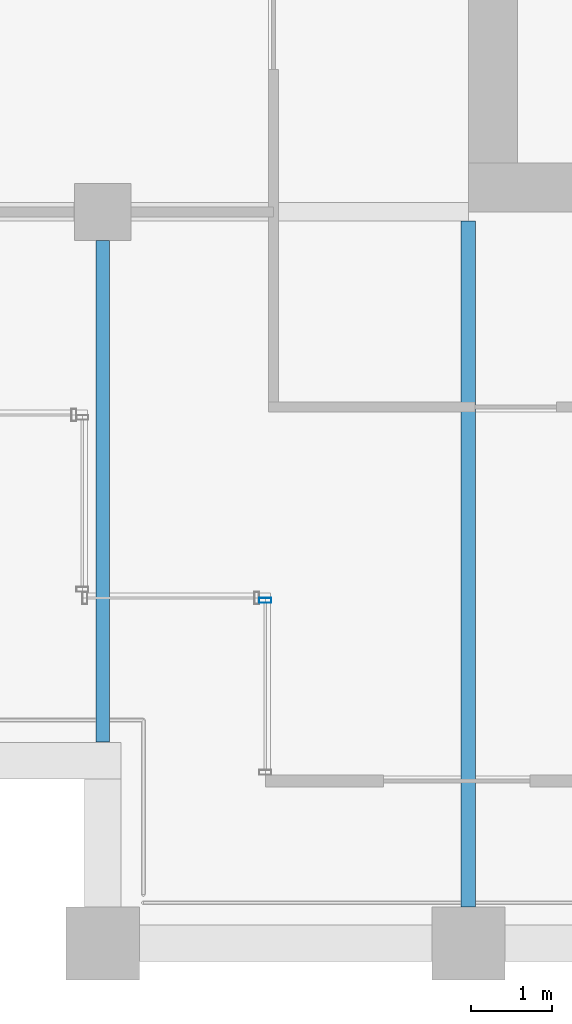
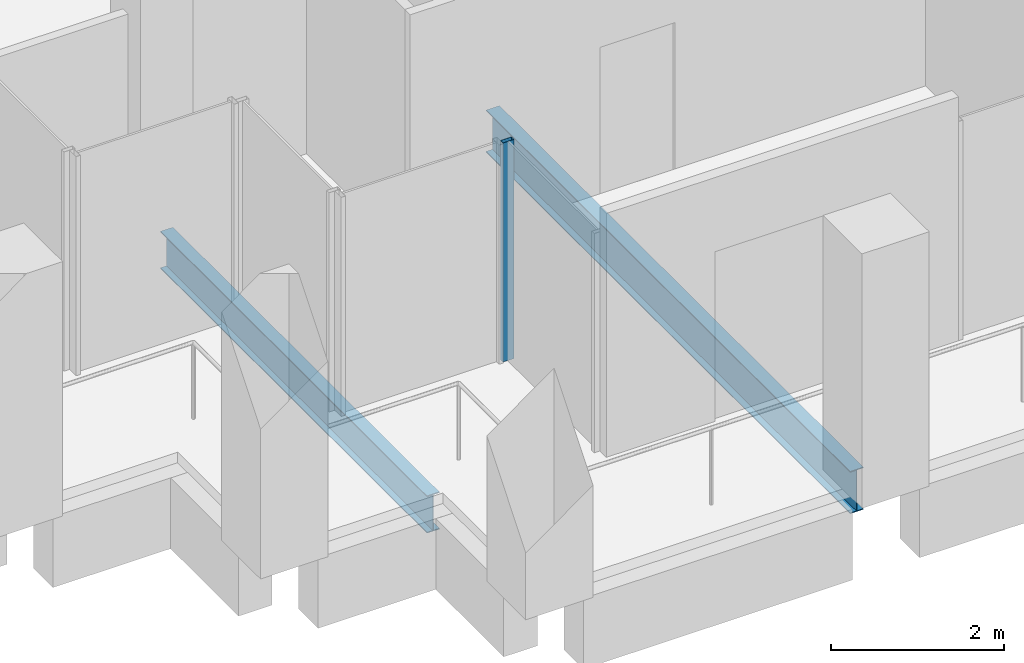
# One storey, part 29 of 40: 2 beams, 1 member, 1 element without a shape of its own.
"""IFC4 building model written with IfcOpenShell, lengths in metres."""

from ifc_helpers import new_model, si_unit, direction, frame, origin, origin_2d, place, context, subcontext, project, spatial, hollow_rectangle, i_section, extrude, material, material_profile, profile_set, type_object, element, aggregate, save


model = new_model("IFC4")

# Units and contexts
model_context = context("Model", 3, precision=1e-05, world=origin(), true_north=direction((0.0, 1.0)))
body_context = subcontext(model_context, "Body", "Model", "MODEL_VIEW")
ifc_project = project(units=[si_unit("LENGTHUNIT", "METRE"), si_unit("AREAUNIT", "SQUARE_METRE"), si_unit("VOLUMEUNIT", "CUBIC_METRE"), si_unit("PLANEANGLEUNIT", "RADIAN"), si_unit("MASSUNIT", "GRAM", prefix="KILO")], contexts=[model_context])

# Site, building, storey
site_placement = place(None, origin())
site = spatial("IfcSite", under=ifc_project, at=site_placement, CompositionType="ELEMENT")
building_placement = place(site_placement, origin())
building = spatial("IfcBuilding", under=site, at=building_placement, Name="Altepetl Exchange Towers", CompositionType="ELEMENT")
storey_placement = place(building_placement, frame((0.0, 0.0, 176.199951171875)))
storey = spatial("IfcBuildingStorey", under=building, at=storey_placement, Name="L44", CompositionType="ELEMENT", Elevation=176.199951171875)

# Beams
ifc_material_1 = material(Name="Steel S355", Category="steel")
ifc_material_profile_1 = material_profile(ifc_material_1, i_section(OverallWidth=0.166015625, OverallDepth=0.529052734375, WebThickness=0.009765625, FlangeThickness=0.013671875, at=origin_2d()), Name="W21X50")
ifc_profile_set_1 = profile_set([ifc_material_profile_1], Name="Steel S355")
beam_type_1 = type_object("IfcBeamType", Name="Floor beam W21X50", PredefinedType="BEAM", material=ifc_profile_set_1)
beam_1_placement = place(storey_placement, frame((99.0, 29.47509765625, -0.41455078125), z_axis=(0.0, 1.0, 0.0), x_axis=(-1.0, 0.0, 0.0)))
element("IfcBeam", 1, at=beam_1_placement, inside=storey, type_object=beam_type_1, Name="bm:B:L44:000", PredefinedType="BEAM", context=body_context, shape_type="SweptSolid", body=[
    extrude(i_section(OverallWidth=0.166015625, OverallDepth=0.529052734375, WebThickness=0.009765625, FlangeThickness=0.013671875, at=origin_2d()), origin(), (0.0, 0.0, 1.0), 6.1748046875),
])
ifc_material_profile_2 = material_profile(ifc_material_1, i_section(OverallWidth=0.177978515625, OverallDepth=0.59912109375, WebThickness=0.010009765625, FlangeThickness=0.0126953125, at=origin_2d()), Name="W24X55")
ifc_profile_set_2 = profile_set([ifc_material_profile_2], Name="Steel S355")
beam_type_2 = type_object("IfcBeamType", Name="Floor beam W24X55", PredefinedType="BEAM", material=ifc_profile_set_2)
beam_2_placement = place(storey_placement, frame((103.5, 27.449951171875, -0.449462890625), z_axis=(0.0, 1.0, 0.0), x_axis=(-1.0, 0.0, 0.0)))
element("IfcBeam", 2, at=beam_2_placement, inside=storey, type_object=beam_type_2, Name="bm:B:L44:001", PredefinedType="BEAM", context=body_context, shape_type="SweptSolid", body=[
    extrude(i_section(OverallWidth=0.177978515625, OverallDepth=0.59912109375, WebThickness=0.010009765625, FlangeThickness=0.0126953125, at=origin_2d()), origin(), (0.0, 0.0, 1.0), 8.43603515625),
])

# Curtain wall, member
ifc_material_2 = material(Name="Aluminium 6063-T6 glazing", Category="aluminium")
curtain_wall_type = type_object("IfcCurtainWallType", Name="Loggia glazing system", PredefinedType="NOTDEFINED", material=ifc_material_2)
curtain_wall_placement = place(storey_placement, origin())
curtain_wall = element("IfcCurtainWall", 3, at=curtain_wall_placement, inside=storey, type_object=curtain_wall_type, Name="CW1 run", PredefinedType="NOTDEFINED")
ifc_material_3 = material(Name="Aluminium 6063-T6", Category="aluminium")
ifc_material_profile_3 = material_profile(ifc_material_3, hollow_rectangle(XDim=0.06005859375, YDim=0.14990234375, WallThickness=0.0029296875, at=origin_2d()), Name="Mullion 60x150 aluminium")
ifc_profile_set_3 = profile_set([ifc_material_profile_3], Name="Aluminium 6063-T6")
member_type = type_object("IfcMemberType", Name="Mullion 60x150 aluminium", PredefinedType="MULLION", material=ifc_profile_set_3)
member_placement = place(storey_placement, frame((101.0, 31.219970703125, 0.0), z_axis=(0.0, 0.0, 1.0), x_axis=(0.0, -1.0, 0.0)))
member = element("IfcMember", 4, at=member_placement, type_object=member_type, Name="MU1 mullion", PredefinedType="MULLION", context=body_context, shape_type="SweptSolid", body=[
    extrude(hollow_rectangle(XDim=0.06005859375, YDim=0.14990234375, WallThickness=0.0029296875, at=origin_2d()), origin(), (0.0, 0.0, 1.0), 3.10009765625),
])
aggregate(curtain_wall, [member])

save(model, "model.ifc")
